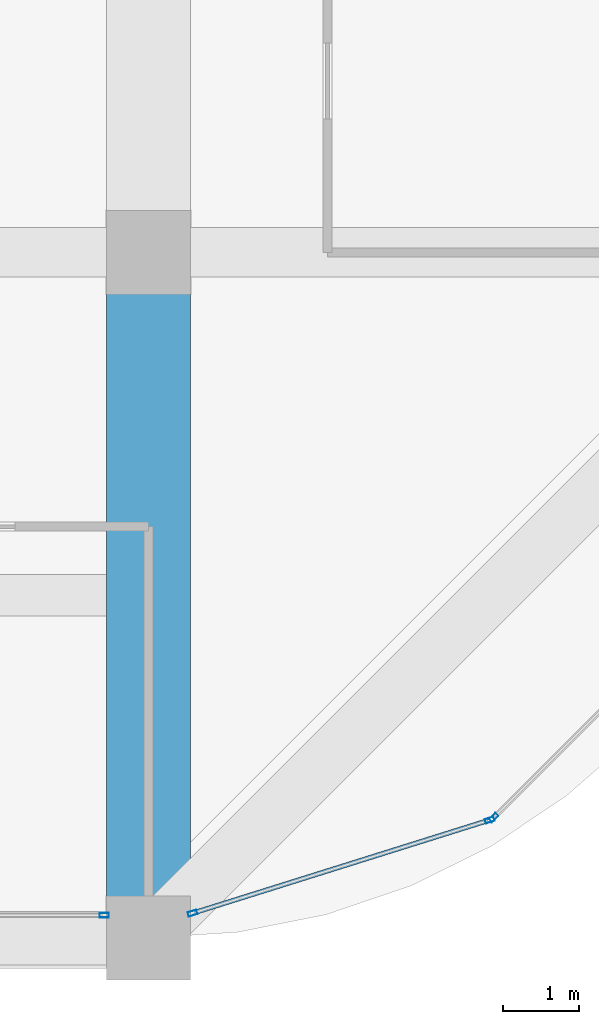
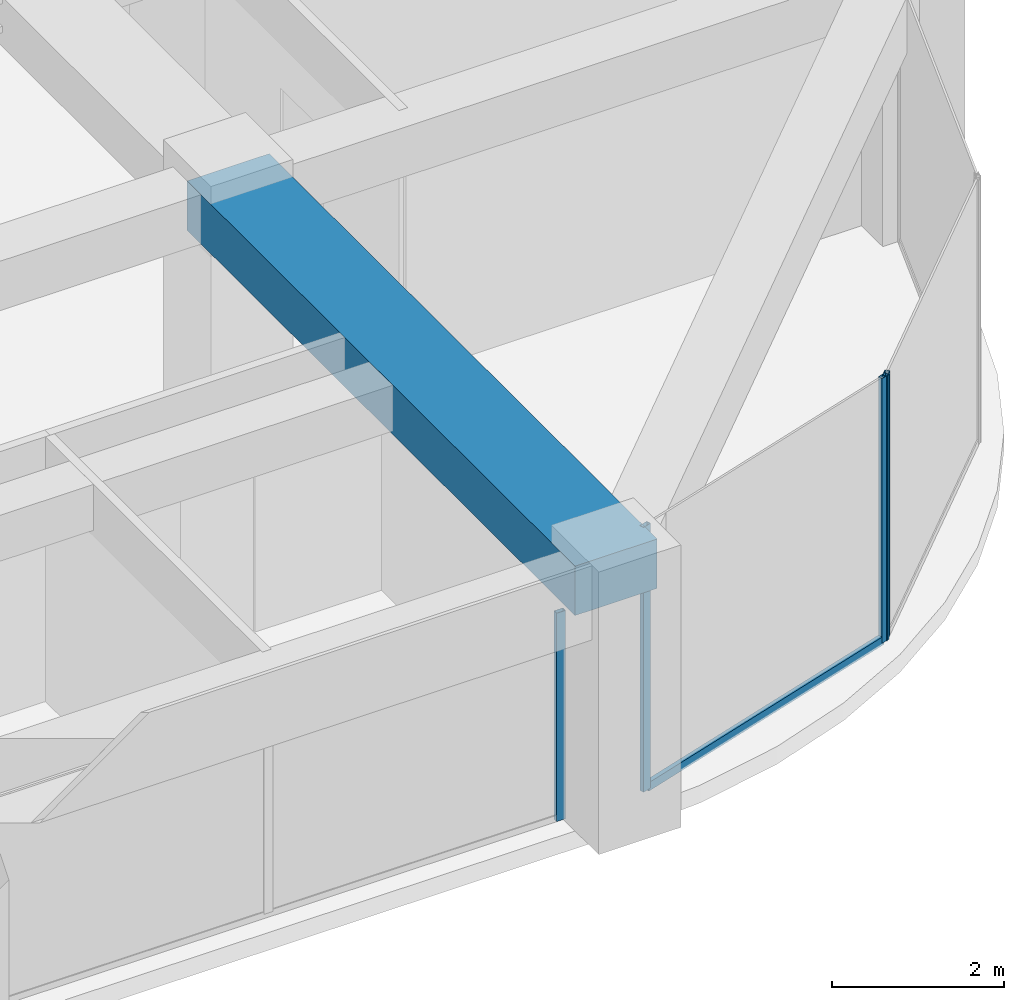
# One storey, part 18 of 44: 5 members, 1 beam, 3 elements without a shape of their own.
"""IFC4 building model written with IfcOpenShell, lengths in metres."""

from ifc_helpers import new_model, si_unit, direction, frame, origin, origin_2d, place, context, subcontext, project, spatial, rectangle, hollow_rectangle, extrude, material, material_profile, profile_set, type_object, element, aggregate, save


model = new_model("IFC4")

# Units and contexts
model_context = context("Model", 3, precision=1e-05, world=origin(), true_north=direction((0.0, 1.0)))
body_context = subcontext(model_context, "Body", "Model", "MODEL_VIEW")
ifc_project = project(units=[si_unit("LENGTHUNIT", "METRE"), si_unit("AREAUNIT", "SQUARE_METRE"), si_unit("VOLUMEUNIT", "CUBIC_METRE"), si_unit("PLANEANGLEUNIT", "RADIAN"), si_unit("MASSUNIT", "GRAM", prefix="KILO")], contexts=[model_context])

# Site, building, storey
site_placement = place(None, origin())
site = spatial("IfcSite", under=ifc_project, at=site_placement, CompositionType="ELEMENT")
building_placement = place(site_placement, origin())
building = spatial("IfcBuilding", under=site, at=building_placement, Name="Zorevar Civic Tower", CompositionType="ELEMENT")
storey_placement = place(building_placement, frame((0.0, 0.0, 295.39990234375)))
storey = spatial("IfcBuildingStorey", under=building, at=storey_placement, Name="L72", CompositionType="ELEMENT", Elevation=295.39990234375)

# Beam
ifc_material_1 = material(Name="Concrete C50/60", Category="concrete")
ifc_material_profile_1 = material_profile(ifc_material_1, rectangle(XDim=1.10009765625, YDim=0.699951171875, at=origin_2d()), Name="RC 1100x700")
ifc_profile_set_1 = profile_set([ifc_material_profile_1], Name="Concrete C50/60")
beam_type = type_object("IfcBeamType", Name="Beam RC 1100x700", PredefinedType="BEAM", material=ifc_profile_set_1)
beam_placement = place(storey_placement, frame((45.0, 0.0, 3.400146484375), z_axis=(0.0, 1.0, 0.0), x_axis=(-1.0, 0.0, 0.0)))
element("IfcBeam", 1, at=beam_placement, inside=storey, type_object=beam_type, Name="Girder L73", PredefinedType="BEAM", context=body_context, shape_type="SweptSolid", body=[
    extrude(rectangle(XDim=1.10009765625, YDim=0.699951171875, at=origin_2d()), origin(), (0.0, 0.0, 1.0), 9.0),
])

# Curtain wall, member
ifc_material_2 = material(Name="Dark grey solar-control glass in black aluminium frame", Category="aluminium")
curtain_wall_type = type_object("IfcCurtainWallType", Name="Curtain wall CW5 top zone", PredefinedType="NOTDEFINED", material=ifc_material_2)
curtain_wall_1_placement = place(storey_placement, origin())
curtain_wall_1 = element("IfcCurtainWall", 2, at=curtain_wall_1_placement, inside=storey, type_object=curtain_wall_type, Name="CW5 L72", PredefinedType="NOTDEFINED")
ifc_material_3 = material(Name="Aluminium, black anodised", Category="aluminium")
ifc_material_profile_2 = material_profile(ifc_material_3, hollow_rectangle(XDim=0.06005859375, YDim=0.1201171875, WallThickness=0.0029296875, at=origin_2d()), Name="AL 120x60x3")
ifc_profile_set_2 = profile_set([ifc_material_profile_2], Name="Aluminium, black anodised")
member_type_1 = type_object("IfcMemberType", Name="CW5 mullion AL 120x60x3", PredefinedType="MULLION", material=ifc_profile_set_2)
member_1_placement = place(storey_placement, frame((44.419921875, 0.300048828125, 0.0), z_axis=(0.0, 0.0, 1.0), x_axis=(0.0, 1.0, 0.0)))
member_1 = element("IfcMember", 3, at=member_1_placement, type_object=member_type_1, Name="CW5 mullion 3", PredefinedType="MULLION", context=body_context, shape_type="SweptSolid", body=[
    extrude(hollow_rectangle(XDim=0.06005859375, YDim=0.1201171875, WallThickness=0.0029296875, at=origin_2d()), origin(), (0.0, 0.0, 1.0), 2.9501953125),
])
aggregate(curtain_wall_1, [member_1])

# Curtain wall, members
curtain_wall_2_placement = place(storey_placement, origin())
curtain_wall_2 = element("IfcCurtainWall", 4, at=curtain_wall_2_placement, inside=storey, type_object=curtain_wall_type, Name="CW5 L72", PredefinedType="NOTDEFINED")
member_2_placement = place(storey_placement, frame((45.57861328125, 0.326416015625, 0.0), z_axis=(0.0, 0.0, 1.0), x_axis=(-0.299317920238, 0.954153437674, 0.0)))
member_2 = element("IfcMember", 5, at=member_2_placement, type_object=member_type_1, Name="CW5 mullion 1", PredefinedType="MULLION", context=body_context, shape_type="SweptSolid", body=[
    extrude(hollow_rectangle(XDim=0.06005859375, YDim=0.1201171875, WallThickness=0.0029296875, at=origin_2d()), origin(), (0.0, 0.0, 1.0), 3.75),
])
member_3_placement = place(storey_placement, frame((49.479248046875, 1.550048828125, 0.0), z_axis=(0.0, 0.0, 1.0), x_axis=(-0.299317920238, 0.954153437674, 0.0)))
member_3 = element("IfcMember", 6, at=member_3_placement, type_object=member_type_1, Name="CW5 mullion 2", PredefinedType="MULLION", context=body_context, shape_type="SweptSolid", body=[
    extrude(hollow_rectangle(XDim=0.06005859375, YDim=0.1201171875, WallThickness=0.0029296875, at=origin_2d()), origin(), (0.0, 0.0, 1.0), 3.75),
])

# Curtain wall, member
curtain_wall_3_placement = place(storey_placement, origin())
curtain_wall_3 = element("IfcCurtainWall", 7, at=curtain_wall_3_placement, inside=storey, type_object=curtain_wall_type, Name="CW5 L72", PredefinedType="NOTDEFINED")
member_4_placement = place(storey_placement, frame((49.529052734375, 1.580322265625, 0.0), z_axis=(0.0, 0.0, 1.0), x_axis=(-0.707106781187, 0.707106781187, 0.0)))
member_4 = element("IfcMember", 8, at=member_4_placement, type_object=member_type_1, Name="CW5 mullion 1", PredefinedType="MULLION", context=body_context, shape_type="SweptSolid", body=[
    extrude(hollow_rectangle(XDim=0.06005859375, YDim=0.1201171875, WallThickness=0.0029296875, at=origin_2d()), origin(), (0.0, 0.0, 1.0), 3.75),
])
aggregate(curtain_wall_3, [member_4])

# Member
ifc_material_4 = material(Name="Aluminium, black anodised", Category="aluminium")
ifc_material_profile_3 = material_profile(ifc_material_4, hollow_rectangle(XDim=0.06005859375, YDim=0.1201171875, WallThickness=0.0029296875, at=origin_2d()), Name="AL 120x60x3")
ifc_profile_set_3 = profile_set([ifc_material_profile_3], Name="Aluminium, black anodised")
member_type_2 = type_object("IfcMemberType", Name="CW5 transom AL 120x60x3", PredefinedType="USERDEFINED", material=ifc_profile_set_3)
member_5_placement = place(storey_placement, frame((45.607177734375, 0.33544921875, 0.030029296875), z_axis=(0.954163457351, 0.299285978047, 0.0), x_axis=(-0.299285978047, 0.954163457351, 0.0)))
member_5 = element("IfcMember", 9, at=member_5_placement, type_object=member_type_2, Name="CW5 sill transom", ObjectType="TRANSOM", PredefinedType="USERDEFINED", context=body_context, shape_type="SweptSolid", body=[
    extrude(hollow_rectangle(XDim=0.06005859375, YDim=0.1201171875, WallThickness=0.0029296875, at=origin_2d()), origin(), (0.0, 0.0, 1.0), 4.028076171875),
])

aggregate(curtain_wall_2, [member_2, member_3, member_5])

save(model, "model.ifc")
